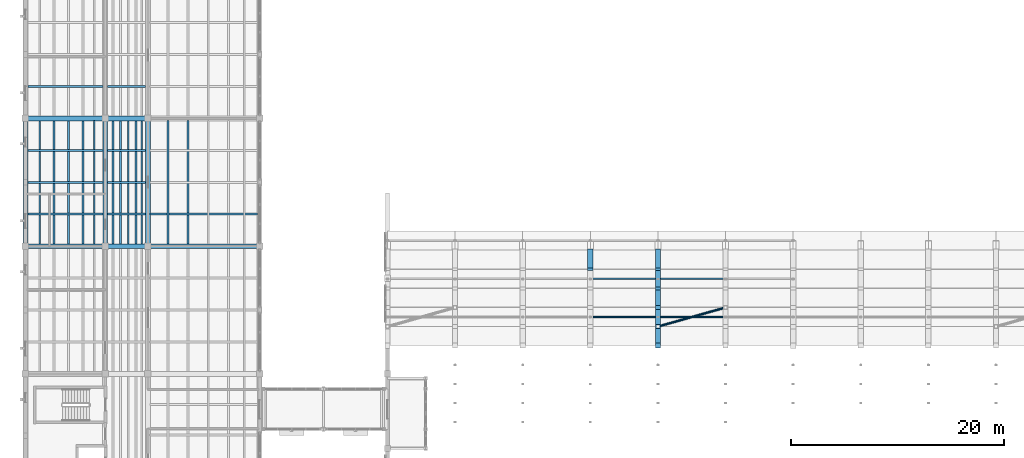
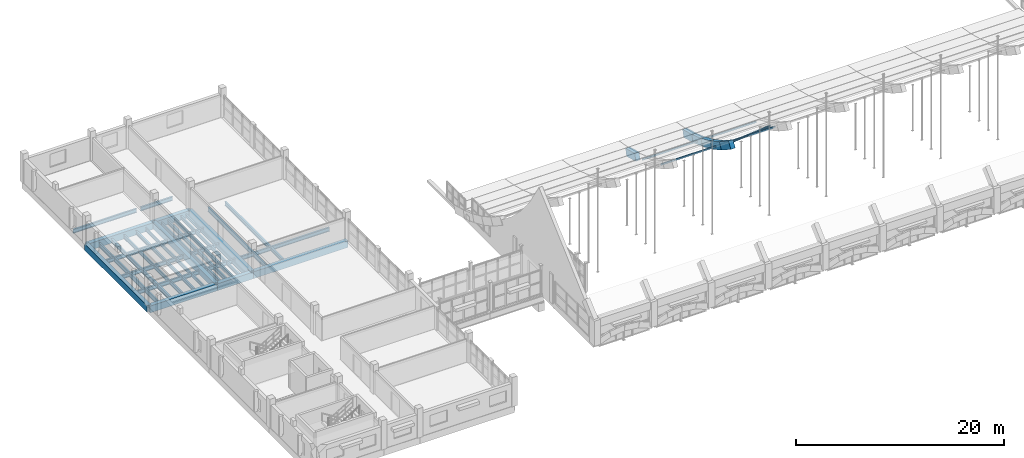
# One storey, part 22 of 77: 29 beams, 11 members.
"""IFC4 building model written with IfcOpenShell, lengths in metres."""

from ifc_helpers import new_model, si_unit, direction, frame, origin, origin_2d, place, context, subcontext, project, spatial, rectangle, hollow_rectangle, hollow_circle, i_section, extrude, material, material_profile, profile_set, type_object, element, save


model = new_model("IFC4")

# Units and contexts
model_context = context("Model", 3, precision=1e-05, world=origin(), true_north=direction((0.0, 1.0)))
body_context = subcontext(model_context, "Body", "Model", "MODEL_VIEW")
ifc_project = project(units=[si_unit("LENGTHUNIT", "METRE"), si_unit("AREAUNIT", "SQUARE_METRE"), si_unit("VOLUMEUNIT", "CUBIC_METRE"), si_unit("PLANEANGLEUNIT", "RADIAN"), si_unit("MASSUNIT", "GRAM", prefix="KILO")], contexts=[model_context])

# Site, building, storey
site_placement = place(None, origin())
site = spatial("IfcSite", under=ifc_project, at=site_placement, CompositionType="ELEMENT")
building_placement = place(site_placement, origin())
building = spatial("IfcBuilding", under=site, at=building_placement, Name="Trellovar Central Fire Station", CompositionType="ELEMENT")
storey_placement = place(building_placement, frame((0.0, 0.0, 5.85009765625)))
storey = spatial("IfcBuildingStorey", under=building, at=storey_placement, Name="L02", CompositionType="ELEMENT", Elevation=5.85009765625)

# Beams
ifc_material_1 = material(Name="Concrete C40/50", Category="concrete")
ifc_material_profile_1 = material_profile(ifc_material_1, rectangle(XDim=0.449951171875, YDim=0.800048828125, at=origin_2d()), Name="RC450X800")
ifc_profile_set_1 = profile_set([ifc_material_profile_1], Name="Concrete C40/50")
beam_type_1 = type_object("IfcBeamType", Name="BM-G1", PredefinedType="BEAM", material=ifc_profile_set_1)
beam_1_placement = place(storey_placement, frame((1.0, 41.0, -0.400146484375), z_axis=(1.0, 0.0, 0.0), x_axis=(0.0, 1.0, 0.0)))
element("IfcBeam", 1, at=beam_1_placement, inside=storey, type_object=beam_type_1, Name="L02 beam G-1", PredefinedType="BEAM", context=body_context, shape_type="SweptSolid", body=[
    extrude(rectangle(XDim=0.449951171875, YDim=0.800048828125, at=origin_2d()), origin(), (0.0, 0.0, 1.0), 7.5),
])
beam_2_placement = place(storey_placement, frame((8.5, 41.0, -0.400146484375), z_axis=(1.0, 0.0, 0.0), x_axis=(0.0, 1.0, 0.0)))
element("IfcBeam", 2, at=beam_2_placement, inside=storey, type_object=beam_type_1, Name="L02 beam G-1", PredefinedType="BEAM", context=body_context, shape_type="SweptSolid", body=[
    extrude(rectangle(XDim=0.449951171875, YDim=0.800048828125, at=origin_2d()), origin(), (0.0, 0.0, 1.0), 4.0),
])
beam_3_placement = place(storey_placement, frame((12.5, 41.0, -0.400146484375), z_axis=(1.0, 0.0, 0.0), x_axis=(0.0, 1.0, 0.0)))
element("IfcBeam", 3, at=beam_3_placement, inside=storey, type_object=beam_type_1, Name="L02 beam G-1", PredefinedType="BEAM", context=body_context, shape_type="SweptSolid", body=[
    extrude(rectangle(XDim=0.449951171875, YDim=0.800048828125, at=origin_2d()), origin(), (0.0, 0.0, 1.0), 10.5),
])
beam_4_placement = place(storey_placement, frame((1.0, 53.0, -0.400146484375), z_axis=(1.0, 0.0, 0.0), x_axis=(0.0, 1.0, 0.0)))
element("IfcBeam", 4, at=beam_4_placement, inside=storey, type_object=beam_type_1, Name="L02 beam G-1", PredefinedType="BEAM", context=body_context, shape_type="SweptSolid", body=[
    extrude(rectangle(XDim=0.449951171875, YDim=0.800048828125, at=origin_2d()), origin(), (0.0, 0.0, 1.0), 7.5),
])
beam_5_placement = place(storey_placement, frame((8.5, 53.0, -0.400146484375), z_axis=(1.0, 0.0, 0.0), x_axis=(0.0, 1.0, 0.0)))
element("IfcBeam", 5, at=beam_5_placement, inside=storey, type_object=beam_type_1, Name="L02 beam G-1", PredefinedType="BEAM", context=body_context, shape_type="SweptSolid", body=[
    extrude(rectangle(XDim=0.449951171875, YDim=0.800048828125, at=origin_2d()), origin(), (0.0, 0.0, 1.0), 4.0),
])
ifc_material_2 = material(Name="Concrete C40/50", Category="concrete")
ifc_material_profile_2 = material_profile(ifc_material_2, rectangle(XDim=0.449951171875, YDim=0.75, at=origin_2d()), Name="RC450X750")
ifc_profile_set_2 = profile_set([ifc_material_profile_2], Name="Concrete C40/50")
beam_type_2 = type_object("IfcBeamType", Name="BM-G2", PredefinedType="BEAM", material=ifc_profile_set_2)
for number, where, z_axis, x_axis, name in (
    (6, (1.0, 41.0, -0.375), (0.0, 1.0, 0.0), (-1.0, 0.0, 0.0), "L02 beam G-2"),
    (7, (8.5, 41.0, -0.375), (0.0, 1.0, 0.0), (-1.0, 0.0, 0.0), "L02 beam G-2"),
    (8, (12.5, 41.0, -0.375), (0.0, 1.0, 0.0), (-1.0, 0.0, 0.0), "L02 beam G-2"),
):
    element("IfcBeam", number, at=place(storey_placement, frame(where, z_axis=z_axis, x_axis=x_axis)), inside=storey, type_object=beam_type_2, Name=name, PredefinedType="BEAM", context=body_context, shape_type="SweptSolid", body=[
        extrude(rectangle(XDim=0.449951171875, YDim=0.75, at=origin_2d()), origin(), (0.0, 0.0, 1.0), 12.0),
    ])
ifc_material_3 = material(Name="Steel ASTM A992 Grade 50", Category="steel")
ifc_material_profile_3 = material_profile(ifc_material_3, i_section(OverallWidth=0.15283203125, OverallDepth=0.45458984375, WebThickness=0.008056640625, FlangeThickness=0.01318359375, FilletRadius=0.0126953125, at=origin_2d()), Name="W18X40")
ifc_profile_set_3 = profile_set([ifc_material_profile_3], Name="Steel ASTM A992 Grade 50")
beam_type_3 = type_object("IfcBeamType", Name="BM-SW10", PredefinedType="JOIST", material=ifc_profile_set_3)
for number, where, z_axis, x_axis, name in (
    (9, (5.050048828125, 41.219970703125, -0.487548828125), (0.0, 1.0, 0.0), (-1.0, 0.0, 0.0), "L02 secondary steel deck joist"),
    (10, (10.659912109375, 41.219970703125, -0.487548828125), (0.0, 1.0, 0.0), (-1.0, 0.0, 0.0), "L02 secondary steel deck joist"),
):
    element("IfcBeam", number, at=place(storey_placement, frame(where, z_axis=z_axis, x_axis=x_axis)), inside=storey, type_object=beam_type_3, Name=name, PredefinedType="JOIST", context=body_context, shape_type="SweptSolid", body=[
        extrude(i_section(OverallWidth=0.15283203125, OverallDepth=0.45458984375, WebThickness=0.008056640625, FlangeThickness=0.01318359375, FilletRadius=0.0126953125, at=origin_2d()), origin(), (0.0, 0.0, 1.0), 11.56005859375),
    ])
ifc_material_4 = material(Name="Steel ASTM A992 Grade 50", Category="steel")
ifc_material_profile_4 = material_profile(ifc_material_4, i_section(OverallWidth=0.177490234375, OverallDepth=0.40380859375, WebThickness=0.007568359375, FlangeThickness=0.010986328125, FilletRadius=0.011474609375, at=origin_2d()), Name="W16X36")
ifc_profile_set_4 = profile_set([ifc_material_profile_4], Name="Steel ASTM A992 Grade 50")
beam_type_4 = type_object("IfcBeamType", Name="BM-SW11", PredefinedType="JOIST", material=ifc_profile_set_4)
for number, where, z_axis, x_axis, name in (
    (11, (6.39990234375, 41.219970703125, -0.462158203125), (0.0, 1.0, 0.0), (-1.0, 0.0, 0.0), "L02 secondary steel deck joist"),
    (12, (11.3798828125, 41.219970703125, -0.462158203125), (0.0, 1.0, 0.0), (-1.0, 0.0, 0.0), "L02 secondary steel deck joist"),
):
    element("IfcBeam", number, at=place(storey_placement, frame(where, z_axis=z_axis, x_axis=x_axis)), inside=storey, type_object=beam_type_4, Name=name, PredefinedType="JOIST", context=body_context, shape_type="SweptSolid", body=[
        extrude(i_section(OverallWidth=0.177490234375, OverallDepth=0.40380859375, WebThickness=0.007568359375, FlangeThickness=0.010986328125, FilletRadius=0.011474609375, at=origin_2d()), origin(), (0.0, 0.0, 1.0), 11.56005859375),
    ])
ifc_material_5 = material(Name="Steel ASTM A992 Grade 50", Category="steel")
ifc_material_profile_5 = material_profile(ifc_material_5, i_section(OverallWidth=0.140380859375, OverallDepth=0.4033203125, WebThickness=0.007080078125, FlangeThickness=0.01123046875, FilletRadius=0.011474609375, at=origin_2d()), Name="W16X31")
ifc_profile_set_5 = profile_set([ifc_material_profile_5], Name="Steel ASTM A992 Grade 50")
beam_type_5 = type_object("IfcBeamType", Name="BM-SW12", PredefinedType="JOIST", material=ifc_profile_set_5)
for number, where, z_axis, x_axis, name in (
    (13, (7.449951171875, 41.219970703125, -0.4619140625), (0.0, 1.0, 0.0), (-1.0, 0.0, 0.0), "L02 secondary steel deck joist"),
    (14, (11.93994140625, 41.219970703125, -0.4619140625), (0.0, 1.0, 0.0), (-1.0, 0.0, 0.0), "L02 secondary steel deck joist"),
):
    element("IfcBeam", number, at=place(storey_placement, frame(where, z_axis=z_axis, x_axis=x_axis)), inside=storey, type_object=beam_type_5, Name=name, PredefinedType="JOIST", context=body_context, shape_type="SweptSolid", body=[
        extrude(i_section(OverallWidth=0.140380859375, OverallDepth=0.4033203125, WebThickness=0.007080078125, FlangeThickness=0.01123046875, FilletRadius=0.011474609375, at=origin_2d()), origin(), (0.0, 0.0, 1.0), 11.56005859375),
    ])
ifc_material_6 = material(Name="Steel ASTM A992 Grade 50", Category="steel")
ifc_material_profile_6 = material_profile(ifc_material_6, i_section(OverallWidth=0.166015625, OverallDepth=0.529052734375, WebThickness=0.009765625, FlangeThickness=0.013671875, FilletRadius=0.013916015625, at=origin_2d()), Name="W21X50")
ifc_profile_set_6 = profile_set([ifc_material_profile_6], Name="Steel ASTM A992 Grade 50")
beam_type_6 = type_object("IfcBeamType", Name="BM-SW8", PredefinedType="JOIST", material=ifc_profile_set_6)
for number, where, z_axis, x_axis, name in (
    (15, (2.35009765625, 41.219970703125, -0.524658203125), (0.0, 1.0, 0.0), (-1.0, 0.0, 0.0), "L02 secondary steel deck joist"),
    (16, (9.219970703125, 41.219970703125, -0.524658203125), (0.0, 1.0, 0.0), (-1.0, 0.0, 0.0), "L02 secondary steel deck joist"),
    (17, (14.389892578125, 41.219970703125, -0.524658203125), (0.0, 1.0, 0.0), (-1.0, 0.0, 0.0), "L02 secondary steel deck joist"),
):
    element("IfcBeam", number, at=place(storey_placement, frame(where, z_axis=z_axis, x_axis=x_axis)), inside=storey, type_object=beam_type_6, Name=name, PredefinedType="JOIST", context=body_context, shape_type="SweptSolid", body=[
        extrude(i_section(OverallWidth=0.166015625, OverallDepth=0.529052734375, WebThickness=0.009765625, FlangeThickness=0.013671875, FilletRadius=0.013916015625, at=origin_2d()), origin(), (0.0, 0.0, 1.0), 11.56005859375),
    ])
ifc_material_7 = material(Name="Steel ASTM A992 Grade 50", Category="steel")
ifc_material_profile_7 = material_profile(ifc_material_7, i_section(OverallWidth=0.1904296875, OverallDepth=0.457275390625, WebThickness=0.009033203125, FlangeThickness=0.014404296875, FilletRadius=0.0126953125, at=origin_2d()), Name="W18X50")
ifc_profile_set_7 = profile_set([ifc_material_profile_7], Name="Steel ASTM A992 Grade 50")
beam_type_7 = type_object("IfcBeamType", Name="BM-SW9", PredefinedType="JOIST", material=ifc_profile_set_7)
for number, where, z_axis, x_axis, name in (
    (18, (1.219970703125, 44.0, -0.48876953125), (1.0, 0.0, 0.0), (0.0, 1.0, 0.0), "L02 beam SB-9"),
    (19, (1.219970703125, 47.0, -0.48876953125), (1.0, 0.0, 0.0), (0.0, 1.0, 0.0), "L02 beam SB-9"),
    (20, (1.219970703125, 50.0, -0.48876953125), (1.0, 0.0, 0.0), (0.0, 1.0, 0.0), "L02 beam SB-9"),
    (21, (1.219970703125, 56.0, -0.48876953125), (1.0, 0.0, 0.0), (0.0, 1.0, 0.0), "L02 beam SB-9"),
):
    element("IfcBeam", number, at=place(storey_placement, frame(where, z_axis=z_axis, x_axis=x_axis)), inside=storey, type_object=beam_type_7, Name=name, PredefinedType="JOIST", context=body_context, shape_type="SweptSolid", body=[
        extrude(i_section(OverallWidth=0.1904296875, OverallDepth=0.457275390625, WebThickness=0.009033203125, FlangeThickness=0.014404296875, FilletRadius=0.0126953125, at=origin_2d()), origin(), (0.0, 0.0, 1.0), 7.06005859375),
    ])
for number, where, z_axis, x_axis, name in (
    (22, (8.719970703125, 44.0, -0.48876953125), (1.0, 0.0, 0.0), (0.0, 1.0, 0.0), "L02 beam SB-9"),
    (23, (8.719970703125, 47.0, -0.48876953125), (1.0, 0.0, 0.0), (0.0, 1.0, 0.0), "L02 beam SB-9"),
    (24, (8.719970703125, 50.0, -0.48876953125), (1.0, 0.0, 0.0), (0.0, 1.0, 0.0), "L02 beam SB-9"),
    (25, (8.719970703125, 56.0, -0.48876953125), (1.0, 0.0, 0.0), (0.0, 1.0, 0.0), "L02 beam SB-9"),
):
    element("IfcBeam", number, at=place(storey_placement, frame(where, z_axis=z_axis, x_axis=x_axis)), inside=storey, type_object=beam_type_7, Name=name, PredefinedType="JOIST", context=body_context, shape_type="SweptSolid", body=[
        extrude(i_section(OverallWidth=0.1904296875, OverallDepth=0.457275390625, WebThickness=0.009033203125, FlangeThickness=0.014404296875, FilletRadius=0.0126953125, at=origin_2d()), origin(), (0.0, 0.0, 1.0), 3.56005859375),
    ])
beam_6_placement = place(storey_placement, frame((12.719970703125, 44.0, -0.48876953125), z_axis=(1.0, 0.0, 0.0), x_axis=(0.0, 1.0, 0.0)))
element("IfcBeam", 26, at=beam_6_placement, inside=storey, type_object=beam_type_7, Name="L02 beam SB-9", PredefinedType="JOIST", context=body_context, shape_type="SweptSolid", body=[
    extrude(i_section(OverallWidth=0.1904296875, OverallDepth=0.457275390625, WebThickness=0.009033203125, FlangeThickness=0.014404296875, FilletRadius=0.0126953125, at=origin_2d()), origin(), (0.0, 0.0, 1.0), 10.06005859375),
])
for number, where, z_axis, x_axis, name in (
    (27, (3.699951171875, 41.219970703125, -0.48876953125), (0.0, 1.0, 0.0), (-1.0, 0.0, 0.0), "L02 secondary steel deck joist"),
    (28, (9.93994140625, 41.219970703125, -0.48876953125), (0.0, 1.0, 0.0), (-1.0, 0.0, 0.0), "L02 secondary steel deck joist"),
    (29, (16.280029296875, 41.219970703125, -0.48876953125), (0.0, 1.0, 0.0), (-1.0, 0.0, 0.0), "L02 secondary steel deck joist"),
):
    element("IfcBeam", number, at=place(storey_placement, frame(where, z_axis=z_axis, x_axis=x_axis)), inside=storey, type_object=beam_type_7, Name=name, PredefinedType="JOIST", context=body_context, shape_type="SweptSolid", body=[
        extrude(i_section(OverallWidth=0.1904296875, OverallDepth=0.457275390625, WebThickness=0.009033203125, FlangeThickness=0.014404296875, FilletRadius=0.0126953125, at=origin_2d()), origin(), (0.0, 0.0, 1.0), 11.56005859375),
    ])

# Members
ifc_material_8 = material(Name="Concrete C40/50", Category="concrete")
ifc_material_profile_8 = material_profile(ifc_material_8, rectangle(XDim=0.5, YDim=0.85009765625, at=origin_2d()), Name="RC500X850")
ifc_profile_set_8 = profile_set([ifc_material_profile_8], Name="Concrete C40/50")
member_type_1 = type_object("IfcMemberType", Name="MEM-AR2", PredefinedType="CHORD", material=ifc_profile_set_8)
member_1_placement = place(storey_placement, frame((54.050048828125, 38.82666015625, 0.173583984375), z_axis=(0.0, 0.966592167816, -0.25631929525), x_axis=(-1.0, 0.0, 0.0)))
element("IfcMember", 30, at=member_1_placement, inside=storey, type_object=member_type_1, Name="Parabolic arch rib AR-04 chord 15", PredefinedType="CHORD", context=body_context, shape_type="SweptSolid", body=[
    extrude(rectangle(XDim=0.5, YDim=0.85009765625, at=origin_2d()), origin(), (0.0, 0.0, 1.0), 1.85546875),
])
member_2_placement = place(storey_placement, frame((60.39990234375, 31.6533203125, 3.73974609375), z_axis=(0.0, 0.835516018722, -0.549466088544), x_axis=(-1.0, 0.0, 0.0)))
element("IfcMember", 31, at=member_2_placement, inside=storey, type_object=member_type_1, Name="Parabolic arch rib AR-05 chord 11", PredefinedType="CHORD", context=body_context, shape_type="SweptSolid", body=[
    extrude(rectangle(XDim=0.5, YDim=0.85009765625, at=origin_2d()), origin(), (0.0, 0.0, 1.0), 2.146484375),
])
member_3_placement = place(storey_placement, frame((60.39990234375, 33.44677734375, 2.560302734375), z_axis=(0.0, 0.879319122317, -0.476233011379), x_axis=(-1.0, 0.0, 0.0)))
element("IfcMember", 32, at=member_3_placement, inside=storey, type_object=member_type_1, Name="Parabolic arch rib AR-05 chord 12", PredefinedType="CHORD", context=body_context, shape_type="SweptSolid", body=[
    extrude(rectangle(XDim=0.5, YDim=0.85009765625, at=origin_2d()), origin(), (0.0, 0.0, 1.0), 2.039306640625),
])
member_4_placement = place(storey_placement, frame((60.39990234375, 35.239990234375, 1.589111328125), z_axis=(0.0, 0.915259901496, -0.402863888569), x_axis=(-1.0, 0.0, 0.0)))
element("IfcMember", 33, at=member_4_placement, inside=storey, type_object=member_type_1, Name="Parabolic arch rib AR-05 chord 13", PredefinedType="CHORD", context=body_context, shape_type="SweptSolid", body=[
    extrude(rectangle(XDim=0.5, YDim=0.85009765625, at=origin_2d()), origin(), (0.0, 0.0, 1.0), 1.959228515625),
])
member_5_placement = place(storey_placement, frame((60.39990234375, 37.033203125, 0.7998046875), z_axis=(0.0, 0.94410254219, -0.329651922232), x_axis=(-1.0, 0.0, 0.0)))
element("IfcMember", 34, at=member_5_placement, inside=storey, type_object=member_type_1, Name="Parabolic arch rib AR-05 chord 14", PredefinedType="CHORD", context=body_context, shape_type="SweptSolid", body=[
    extrude(rectangle(XDim=0.5, YDim=0.85009765625, at=origin_2d()), origin(), (0.0, 0.0, 1.0), 1.899658203125),
])
member_6_placement = place(storey_placement, frame((60.39990234375, 38.82666015625, 0.173583984375), z_axis=(0.0, 0.966592167816, -0.25631929525), x_axis=(-1.0, 0.0, 0.0)))
element("IfcMember", 35, at=member_6_placement, inside=storey, type_object=member_type_1, Name="Parabolic arch rib AR-05 chord 15", PredefinedType="CHORD", context=body_context, shape_type="SweptSolid", body=[
    extrude(rectangle(XDim=0.5, YDim=0.85009765625, at=origin_2d()), origin(), (0.0, 0.0, 1.0), 1.85546875),
])
ifc_material_9 = material(Name="Steel ASTM A500 Grade C", Category="steel")
ifc_material_profile_9 = material_profile(ifc_material_9, hollow_circle(Radius=0.109619140625, WallThickness=0.0087890625, at=origin_2d()), Name="HSS8.625X0.375")
ifc_profile_set_9 = profile_set([ifc_material_profile_9], Name="Steel ASTM A500 Grade C")
member_type_2 = type_object("IfcMemberType", Name="MEM-BR5", PredefinedType="BRACE", material=ifc_profile_set_9)
member_7_placement = place(storey_placement, frame((60.39990234375, 33.44677734375, 2.51025390625), z_axis=(0.952111488671, 0.268868084748, -0.145580445615), x_axis=(-0.271763337884, 0.962364114139, 0.0)))
element("IfcMember", 36, at=member_7_placement, inside=storey, type_object=member_type_2, Name="Vault diagonal brace V1-05-12", PredefinedType="BRACE", context=body_context, shape_type="SweptSolid", body=[
    extrude(hollow_circle(Radius=0.109619140625, WallThickness=0.0087890625, at=origin_2d()), origin(), (0.0, 0.0, 1.0), 6.66943359375),
])
ifc_material_10 = material(Name="Steel ASTM A500 Grade C", Category="steel")
ifc_material_profile_10 = material_profile(ifc_material_10, hollow_rectangle(XDim=0.1015625, YDim=0.203125, WallThickness=0.0087890625, InnerFilletRadius=0.0087890625, OuterFilletRadius=0.017822265625, at=origin_2d()), Name="HSS8X4X3/8")
ifc_profile_set_10 = profile_set([ifc_material_profile_10], Name="Steel ASTM A500 Grade C")
member_type_3 = type_object("IfcMemberType", Name="MEM-PU1", PredefinedType="PURLIN", material=ifc_profile_set_10)
for number, where, z_axis, x_axis, name in (
    (37, (54.050048828125, 34.343505859375, 1.98486328125), (1.0, 0.0, 0.0), (0.0, 1.0, 0.0), "Vault purlin V1-04-12"),
    (38, (54.050048828125, 37.929931640625, 0.396484375), (1.0, 0.0, 0.0), (0.0, 1.0, 0.0), "Vault purlin V1-04-14"),
):
    element("IfcMember", number, at=place(storey_placement, frame(where, z_axis=z_axis, x_axis=x_axis)), inside=storey, type_object=member_type_3, Name=name, PredefinedType="PURLIN", context=body_context, shape_type="SweptSolid", body=[
        extrude(hollow_rectangle(XDim=0.1015625, YDim=0.203125, WallThickness=0.0087890625, InnerFilletRadius=0.0087890625, OuterFilletRadius=0.017822265625, at=origin_2d()), origin(), (0.0, 0.0, 1.0), 6.349853515625),
    ])
for number, where, z_axis, x_axis, name in (
    (39, (60.39990234375, 34.343505859375, 1.98486328125), (1.0, 0.0, 0.0), (0.0, 1.0, 0.0), "Vault purlin V1-05-12"),
    (40, (60.39990234375, 37.929931640625, 0.396484375), (1.0, 0.0, 0.0), (0.0, 1.0, 0.0), "Vault purlin V1-05-14"),
):
    element("IfcMember", number, at=place(storey_placement, frame(where, z_axis=z_axis, x_axis=x_axis)), inside=storey, type_object=member_type_3, Name=name, PredefinedType="PURLIN", context=body_context, shape_type="SweptSolid", body=[
        extrude(hollow_rectangle(XDim=0.1015625, YDim=0.203125, WallThickness=0.0087890625, InnerFilletRadius=0.0087890625, OuterFilletRadius=0.017822265625, at=origin_2d()), origin(), (0.0, 0.0, 1.0), 6.35009765625),
    ])

save(model, "model.ifc")
